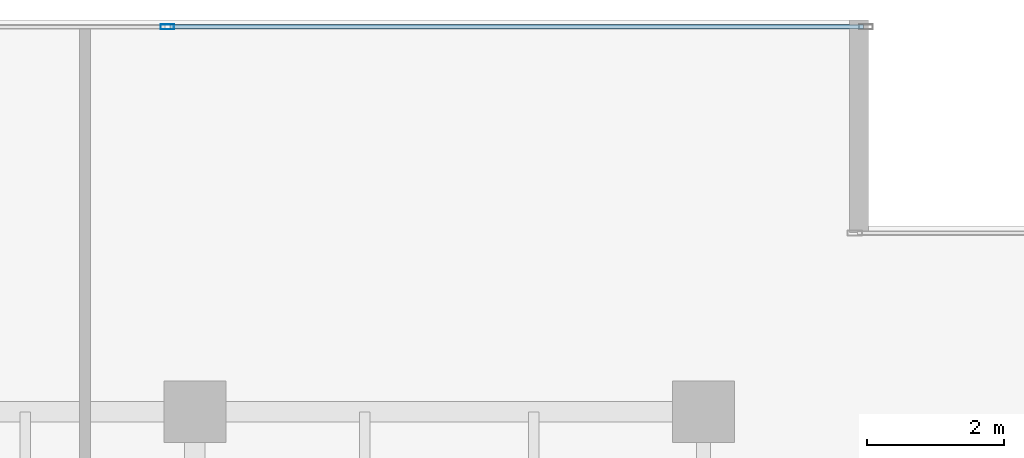
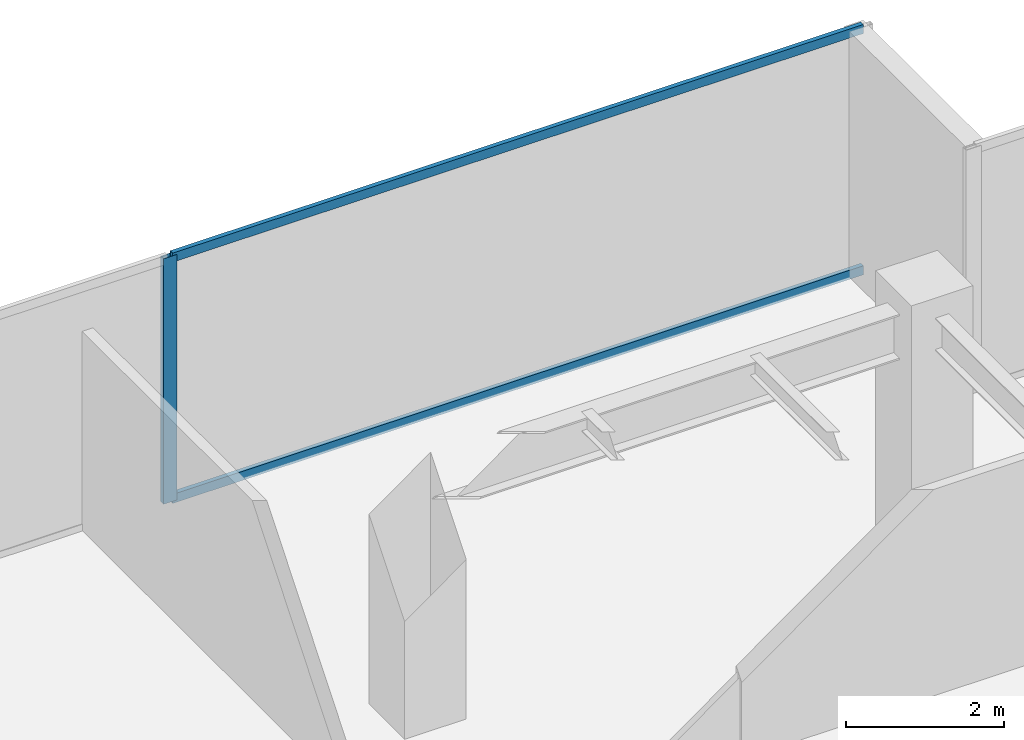
# One storey, part 20 of 30: 3 members, 1 element without a shape of its own.
"""IFC4 building model written with IfcOpenShell, lengths in metres."""

from ifc_helpers import new_model, si_unit, direction, frame, origin, origin_2d, place, context, subcontext, project, spatial, hollow_rectangle, extrude, source, transform, mapped, material, layer, layer_set, material_profile, profile_set, type_object, type_shapes, element, aggregate, save


model = new_model("IFC4")

# Units and contexts
model_context = context("Model", 3, precision=1e-05, world=origin(), true_north=direction((0.0, 1.0)))
body_context = subcontext(model_context, "Body", "Model", "MODEL_VIEW")
ifc_project = project(units=[si_unit("LENGTHUNIT", "METRE"), si_unit("AREAUNIT", "SQUARE_METRE"), si_unit("VOLUMEUNIT", "CUBIC_METRE"), si_unit("PLANEANGLEUNIT", "RADIAN"), si_unit("MASSUNIT", "GRAM", prefix="KILO")], contexts=[model_context])

# Site, building, storey
site_placement = place(None, origin())
site = spatial("IfcSite", under=ifc_project, at=site_placement, CompositionType="ELEMENT")
building_placement = place(site_placement, origin())
building = spatial("IfcBuilding", under=site, at=building_placement, Name="Haelvirn Gate Laboratories", CompositionType="ELEMENT")
storey_placement = place(building_placement, frame((0.0, 0.0, 170.699951171875)))
storey = spatial("IfcBuildingStorey", under=building, at=storey_placement, Name="L41", CompositionType="ELEMENT", Elevation=170.699951171875)

# Curtain wall, members
ifc_material_1 = material(Name="Anodised bronze unitised aluminium & triple low-E glass", Category="aluminium")
ifc_layer = layer(ifc_material_1, 0.179931640625, Name="CW-SYS-3")
ifc_layer_set = layer_set([ifc_layer], Name="Anodised bronze unitised aluminium & triple low-E glass")
curtain_wall_type = type_object("IfcCurtainWallType", Name="CW-SYS-3", PredefinedType="NOTDEFINED", material=ifc_layer_set)
curtain_wall_placement = place(storey_placement, origin())
curtain_wall = element("IfcCurtainWall", 1, at=curtain_wall_placement, inside=storey, type_object=curtain_wall_type, Name="L41 Unitised Curtain Wall CW-L41-P0-E10-1", PredefinedType="NOTDEFINED")
ifc_material_2 = material(Name="Extruded aluminium 6063-T6 (anodised bronze)", Category="aluminium")
ifc_material_profile_1 = material_profile(ifc_material_2, hollow_rectangle(XDim=0.06494140625, YDim=0.139892578125, WallThickness=0.00390625, at=origin_2d()), Name="CWT-140x65x4")
ifc_profile_set_1 = profile_set([ifc_material_profile_1], Name="Extruded aluminium 6063-T6 (anodised bronze)")
member_type_1 = type_object("IfcMemberType", Name="CWT-T140", PredefinedType="USERDEFINED", material=ifc_profile_set_1)
shared_shape_1 = source(origin(), body_context, "Body", "SweptSolid", [
    extrude(hollow_rectangle(XDim=0.06494140625, YDim=0.139892578125, WallThickness=0.00390625, at=origin_2d()), origin(), (0.0, 0.0, 1.0), 10.087646484375),
])
type_shapes(member_type_1, [shared_shape_1])
member_1_placement = place(storey_placement, frame((59.637451171875, 47.199951171875, 0.032470703125), z_axis=(1.0, 0.0, 0.0), x_axis=(0.0, 1.0, 0.0)))
member_1 = element("IfcMember", 2, at=member_1_placement, type_object=member_type_1, Name="CW3 transom 2.1", ObjectType="TRANSOM", PredefinedType="USERDEFINED", context=body_context, shape_type="MappedRepresentation", body=[
    mapped(shared_shape_1, transform((0.0, 0.0, 0.0), scale=1.0)),
])
member_2_placement = place(storey_placement, frame((59.637451171875, 47.199951171875, 3.757568359375), z_axis=(1.0, 0.0, 0.0), x_axis=(0.0, 1.0, 0.0)))
member_2 = element("IfcMember", 3, at=member_2_placement, type_object=member_type_1, Name="CW3 transom 2.2", ObjectType="TRANSOM", PredefinedType="USERDEFINED", context=body_context, shape_type="MappedRepresentation", body=[
    mapped(shared_shape_1, transform((0.0, 0.0, 0.0), scale=1.0)),
])
ifc_material_profile_2 = material_profile(ifc_material_2, hollow_rectangle(XDim=0.074951171875, YDim=0.199951171875, WallThickness=0.0048828125, at=origin_2d()), Name="CWM-200x75x5")
ifc_profile_set_2 = profile_set([ifc_material_profile_2], Name="Extruded aluminium 6063-T6 (anodised bronze)")
member_type_2 = type_object("IfcMemberType", Name="CWM-T200", PredefinedType="MULLION", material=ifc_profile_set_2)
shared_shape_2 = source(origin(), body_context, "Body", "SweptSolid", [
    extrude(hollow_rectangle(XDim=0.074951171875, YDim=0.199951171875, WallThickness=0.0048828125, at=origin_2d()), origin(), (0.0, 0.0, 1.0), 3.7900390625),
])
type_shapes(member_type_2, [shared_shape_2])
member_3_placement = place(storey_placement, frame((59.60009765625, 47.199951171875, 0.0), z_axis=(0.0, 0.0, 1.0), x_axis=(0.0, 1.0, 0.0)))
member_3 = element("IfcMember", 4, at=member_3_placement, type_object=member_type_2, Name="CW3 mullion 2", PredefinedType="MULLION", context=body_context, shape_type="MappedRepresentation", body=[
    mapped(shared_shape_2, transform((0.0, 0.0, 0.0), scale=1.0)),
])
aggregate(curtain_wall, [member_3, member_1, member_2])

save(model, "model.ifc")
